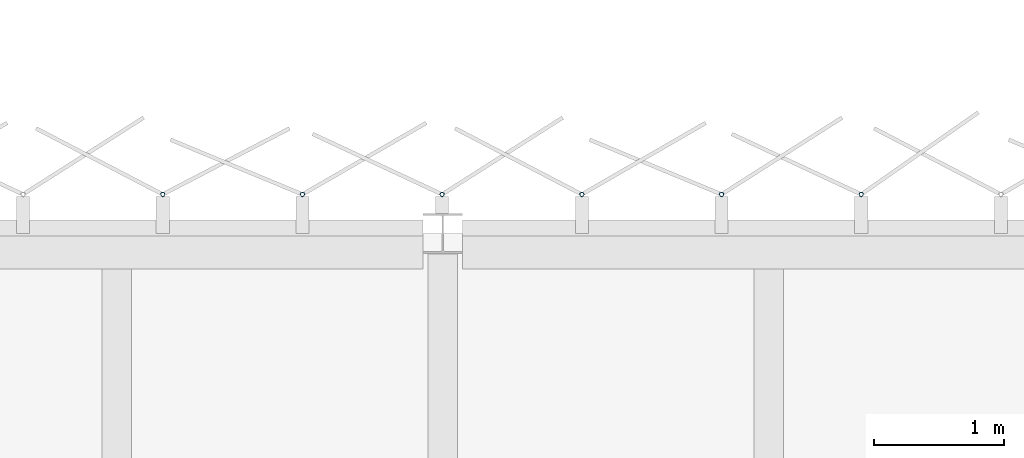
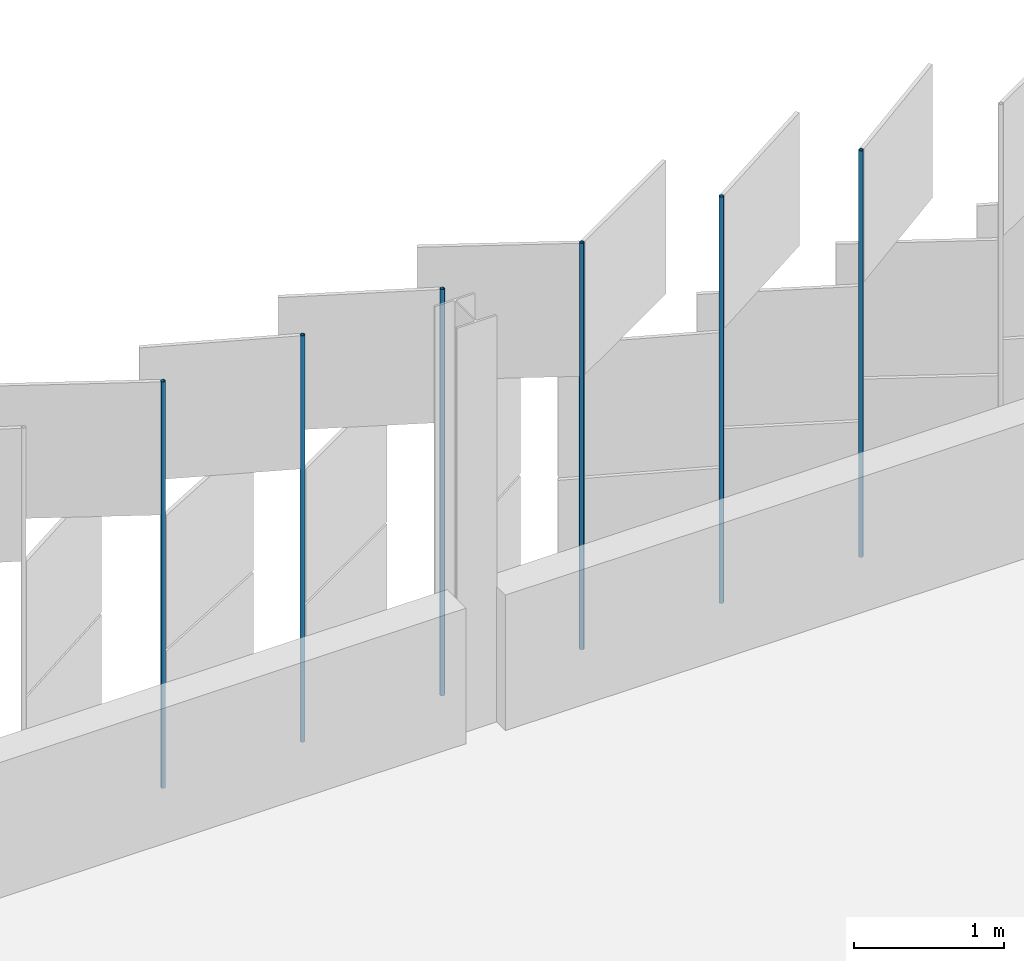
# One storey, part 148 of 198: 6 discrete accessories.
"""IFC4 building model written with IfcOpenShell, lengths in metres."""

from ifc_helpers import new_model, si_unit, direction, frame, origin, origin_2d, place, context, subcontext, project, spatial, hollow_circle, extrude, material, material_profile, profile_set, type_object, element, save


model = new_model("IFC4")

# Units and contexts
model_context = context("Model", 3, precision=1e-05, world=origin(), true_north=direction((0.0, 1.0)))
body_context = subcontext(model_context, "Body", "Model", "MODEL_VIEW")
ifc_project = project(units=[si_unit("LENGTHUNIT", "METRE"), si_unit("AREAUNIT", "SQUARE_METRE"), si_unit("VOLUMEUNIT", "CUBIC_METRE"), si_unit("PLANEANGLEUNIT", "RADIAN"), si_unit("MASSUNIT", "GRAM", prefix="KILO")], contexts=[model_context])

# Site, building, storey
site_placement = place(None, origin())
site = spatial("IfcSite", under=ifc_project, at=site_placement, CompositionType="ELEMENT")
building_placement = place(site_placement, origin())
building = spatial("IfcBuilding", under=site, at=building_placement, Name="Parallax Yard Mobility Hub", CompositionType="ELEMENT")
storey_placement = place(building_placement, frame((0.0, 0.0, 6.60009765625)))
storey = spatial("IfcBuildingStorey", under=building, at=storey_placement, Name="L02", CompositionType="ELEMENT", Elevation=6.60009765625)

# Discrete accessories
ifc_material = material(Name="Steel ASTM A500 Gr C, hot-dip galvanised", Category="steel")
ifc_material_profile = material_profile(ifc_material, hollow_circle(Radius=0.016845703125, WallThickness=0.003173828125, at=origin_2d()), Name="CHS 33.7x3.2")
ifc_profile_set = profile_set([ifc_material_profile], Name="Steel ASTM A500 Gr C, hot-dip galvanised")
discrete_accessory_type = type_object("IfcDiscreteAccessoryType", Name="Hinge post CHS 33.7x3.2", PredefinedType="BRACKET", material=ifc_profile_set)
for number, where, z_axis, x_axis, name in (
    (1, (123.210205078125, 142.800048828125, 0.0), (0.0, 0.0, 1.0), (1.0, 0.0, 0.0), "Hinge post bay 57.5 level L02"),
    (2, (122.138916015625, 142.800048828125, 0.0), (0.0, 0.0, 1.0), (1.0, 0.0, 0.0), "Hinge post bay 57.6 level L02"),
    (3, (121.067138671875, 142.800048828125, 0.0), (0.0, 0.0, 1.0), (1.0, 0.0, 0.0), "Hinge post bay 57.7 level L02"),
    (4, (119.99560546875, 142.800048828125, 0.0), (0.0, 0.0, 1.0), (1.0, 0.0, 0.0), "Hinge post bay 58.1 level L02"),
    (5, (118.924072265625, 142.800048828125, 0.0), (0.0, 0.0, 1.0), (1.0, 0.0, 0.0), "Hinge post bay 58.2 level L02"),
    (6, (117.8525390625, 142.800048828125, 0.0), (0.0, 0.0, 1.0), (1.0, 0.0, 0.0), "Hinge post bay 58.3 level L02"),
):
    element("IfcDiscreteAccessory", number, at=place(storey_placement, frame(where, z_axis=z_axis, x_axis=x_axis)), inside=storey, type_object=discrete_accessory_type, Name=name, PredefinedType="BRACKET", context=body_context, shape_type="SweptSolid", body=[
        extrude(hollow_circle(Radius=0.016845703125, WallThickness=0.003173828125, at=origin_2d()), origin(), (0.0, 0.0, 1.0), 3.2998046875),
    ])

save(model, "model.ifc")
